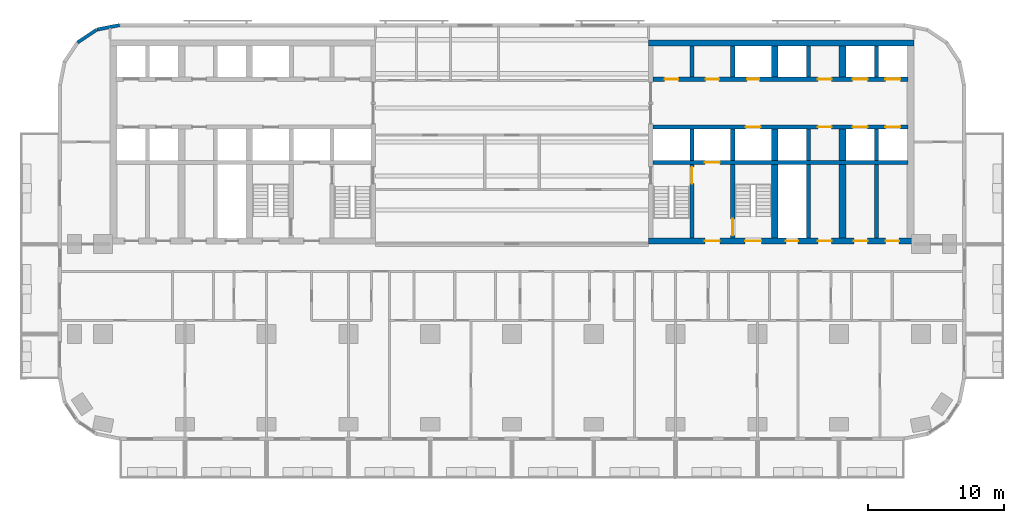
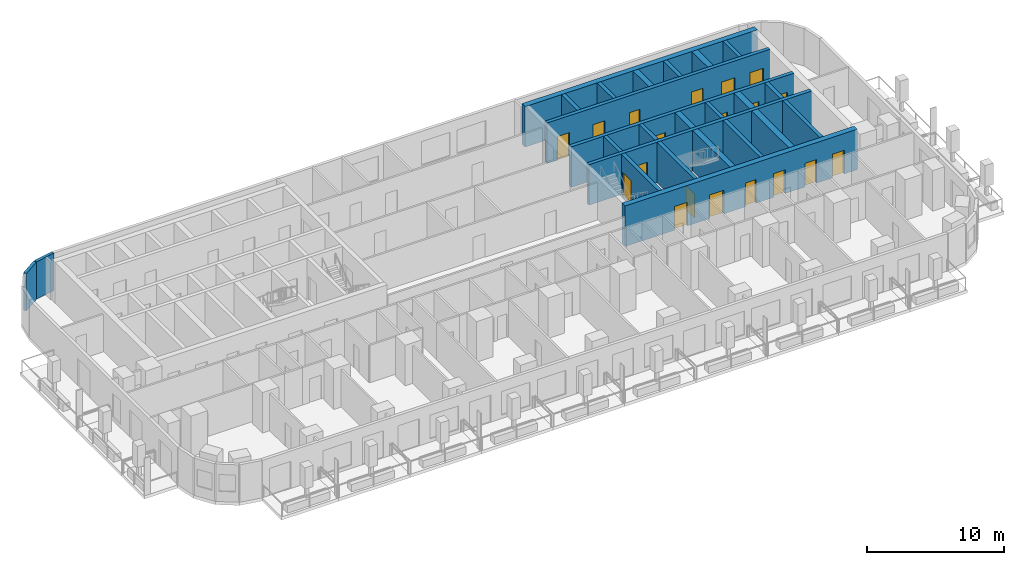
# One storey, part 7 of 14: 25 walls, 19 doors, 19 openings.
"""IFC4 building model written with IfcOpenShell, lengths in metres."""

from ifc_helpers import new_model, si_unit, direction, frame, frame_2d, origin, place, context, subcontext, project, spatial, rectangle, extrude, material, layer, layer_set, type_object, element, fill, save


model = new_model("IFC4")

# Units and contexts
model_context = context("Model", 3, precision=1e-05, world=origin(), true_north=direction((0.0, 1.0)))
body_context = subcontext(model_context, "Body", "Model", "MODEL_VIEW")
ifc_project = project(units=[si_unit("LENGTHUNIT", "METRE"), si_unit("AREAUNIT", "SQUARE_METRE"), si_unit("VOLUMEUNIT", "CUBIC_METRE"), si_unit("PLANEANGLEUNIT", "RADIAN"), si_unit("MASSUNIT", "GRAM", prefix="KILO")], contexts=[model_context])

# Site, building, storey
site_placement = place(None, origin())
site = spatial("IfcSite", under=ifc_project, at=site_placement, CompositionType="ELEMENT")
building_placement = place(site_placement, origin())
building = spatial("IfcBuilding", under=site, at=building_placement, Name="Torana Hotel and Residences", CompositionType="ELEMENT")
storey_placement = place(building_placement, frame((0.0, 0.0, 96.0)))
storey = spatial("IfcBuildingStorey", under=building, at=storey_placement, Name="L24", CompositionType="ELEMENT", Elevation=96.0)

# Wall, openings, doors
ifc_material_1 = material(Name="Concrete C80/95", Category="concrete")
ifc_layer_1 = layer(ifc_material_1, 0.300048828125)
ifc_layer_set_1 = layer_set([ifc_layer_1], Name="CORE WALL 300 C80/95")
wall_type_1 = type_object("IfcWallType", Name="CORE WALL 300 C80/95", PredefinedType="SHEAR", material=ifc_layer_set_1)
wall_1_placement = place(storey_placement, frame((10.35009765625, -2.89990234375, 0.0), z_axis=(0.0, 0.0, 1.0), x_axis=(1.0, 0.0, 0.0)))
wall_1 = element("IfcWall", 1, at=wall_1_placement, inside=storey, type_object=wall_type_1, Name="Core wall E row-N", PredefinedType="SHEAR", context=body_context, shape_type="SweptSolid", body=[
    extrude(rectangle(XDim=18.699951171875, YDim=0.300048828125, at=frame_2d((9.35009765625, 0.0))), origin(), (0.0, 0.0, 1.0), 3.60009765625),
])
opening_1_placement = place(wall_1_placement, frame((14.64990234375, 0.0, 0.0)))
opening_1 = element("IfcOpeningElement", 2, at=opening_1_placement, cuts=wall_1, Name="Opening LD", PredefinedType="OPENING", context=body_context, shape_type="SweptSolid", body=[
    extrude(rectangle(XDim=1.10009765625, YDim=2.10009765625, at=frame_2d((0.550048828125, 1.050048828125))), frame((0.0, 0.159912109375, 0.0), z_axis=(0.0, -1.0, 0.0), x_axis=(1.0, 0.0, 0.0)), (0.0, 0.0, 1.0), 0.320068359375),
])
opening_2_placement = place(wall_1_placement, frame((17.050048828125, 0.0, 0.0)))
opening_2 = element("IfcOpeningElement", 3, at=opening_2_placement, cuts=wall_1, Name="Opening LD", PredefinedType="OPENING", context=body_context, shape_type="SweptSolid", body=[
    extrude(rectangle(XDim=1.10009765625, YDim=2.10009765625, at=frame_2d((0.550048828125, 1.050048828125))), frame((0.0, 0.159912109375, 0.0), z_axis=(0.0, -1.0, 0.0), x_axis=(1.0, 0.0, 0.0)), (0.0, 0.0, 1.0), 0.320068359375),
])
opening_3_placement = place(wall_1_placement, frame((6.89990234375, 0.0, 0.0)))
opening_3 = element("IfcOpeningElement", 4, at=opening_3_placement, cuts=wall_1, Name="Opening L24-26", PredefinedType="OPENING", context=body_context, shape_type="SweptSolid", body=[
    extrude(rectangle(XDim=0.89990234375, YDim=2.10009765625, at=frame_2d((0.449951171875, 1.050048828125))), frame((0.0, 0.159912109375, 0.0), z_axis=(0.0, -1.0, 0.0), x_axis=(1.0, 0.0, 0.0)), (0.0, 0.0, 1.0), 0.320068359375),
])
opening_4_placement = place(wall_1_placement, frame((0.85009765625, 0.0, 0.0)))
opening_4 = element("IfcOpeningElement", 5, at=opening_4_placement, cuts=wall_1, Name="Opening L24-27", PredefinedType="OPENING", context=body_context, shape_type="SweptSolid", body=[
    extrude(rectangle(XDim=1.0, YDim=2.10009765625, at=frame_2d((0.5, 1.050048828125))), frame((0.0, 0.159912109375, 0.0), z_axis=(0.0, -1.0, 0.0), x_axis=(1.0, 0.0, 0.0)), (0.0, 0.0, 1.0), 0.320068359375),
])
opening_5_placement = place(wall_1_placement, frame((3.85009765625, 0.0, 0.0)))
opening_5 = element("IfcOpeningElement", 6, at=opening_5_placement, cuts=wall_1, Name="Opening L24-28", PredefinedType="OPENING", context=body_context, shape_type="SweptSolid", body=[
    extrude(rectangle(XDim=1.0, YDim=2.10009765625, at=frame_2d((0.5, 1.050048828125))), frame((0.0, 0.159912109375, 0.0), z_axis=(0.0, -1.0, 0.0), x_axis=(1.0, 0.0, 0.0)), (0.0, 0.0, 1.0), 0.320068359375),
])
opening_6_placement = place(wall_1_placement, frame((12.10009765625, 0.0, 0.0)))
opening_6 = element("IfcOpeningElement", 7, at=opening_6_placement, cuts=wall_1, Name="Opening L24-29", PredefinedType="OPENING", context=body_context, shape_type="SweptSolid", body=[
    extrude(rectangle(XDim=1.0, YDim=2.10009765625, at=frame_2d((0.5, 1.050048828125))), frame((0.0, 0.159912109375, 0.0), z_axis=(0.0, -1.0, 0.0), x_axis=(1.0, 0.0, 0.0)), (0.0, 0.0, 1.0), 0.320068359375),
])
ifc_material_2 = material(Name="Steel S235", Category="steel")
door_type_1 = type_object("IfcDoorType", Name="CORE ROOM FIRE DOOR D14 1000x2100", OperationType="SINGLE_SWING_LEFT", PredefinedType="DOOR", material=ifc_material_2)
door_1_placement = place(opening_4_placement, origin())
door_1 = element("IfcDoor", 8, at=door_1_placement, inside=storey, type_object=door_type_1, Name="N0 door L24", OperationType="SINGLE_SWING_RIGHT", OverallHeight=2.10009765625, OverallWidth=1.0, PredefinedType="DOOR", context=body_context, shape_type="SweptSolid", body=[
    extrude(rectangle(XDim=1.0, YDim=2.10009765625, at=frame_2d((0.5, 1.050048828125))), frame((0.0, 0.02490234375, 0.0), z_axis=(0.0, -1.0, 0.0), x_axis=(1.0, 0.0, 0.0)), (0.0, 0.0, 1.0), 0.050048828125),
])
fill(opening_4, door_1)
door_2_placement = place(opening_5_placement, origin())
door_2 = element("IfcDoor", 9, at=door_2_placement, inside=storey, type_object=door_type_1, Name="N1 door L24", OperationType="SINGLE_SWING_RIGHT", OverallHeight=2.10009765625, OverallWidth=1.0, PredefinedType="DOOR", context=body_context, shape_type="SweptSolid", body=[
    extrude(rectangle(XDim=1.0, YDim=2.10009765625, at=frame_2d((0.5, 1.050048828125))), frame((0.0, 0.02490234375, 0.0), z_axis=(0.0, -1.0, 0.0), x_axis=(1.0, 0.0, 0.0)), (0.0, 0.0, 1.0), 0.050048828125),
])
fill(opening_5, door_2)
door_3_placement = place(opening_6_placement, origin())
door_3 = element("IfcDoor", 10, at=door_3_placement, inside=storey, type_object=door_type_1, Name="Free-M3 door L24", OperationType="SINGLE_SWING_RIGHT", OverallHeight=2.10009765625, OverallWidth=1.0, PredefinedType="DOOR", context=body_context, shape_type="SweptSolid", body=[
    extrude(rectangle(XDim=1.0, YDim=2.10009765625, at=frame_2d((0.5, 1.050048828125))), frame((0.0, 0.02490234375, 0.0), z_axis=(0.0, -1.0, 0.0), x_axis=(1.0, 0.0, 0.0)), (0.0, 0.0, 1.0), 0.050048828125),
])
fill(opening_6, door_3)
ifc_material_3 = material(Name="Stainless steel 316", Category="steel")
door_type_2 = type_object("IfcDoorType", Name="LIFT LANDING DOOR LD 1100x2100", OperationType="DOUBLE_DOOR_SLIDING", PredefinedType="USERDEFINED", material=ifc_material_3)
door_4_placement = place(opening_1_placement, origin())
door_4 = element("IfcDoor", 11, at=door_4_placement, inside=storey, type_object=door_type_2, Name="Lift landing door L5 L24", ObjectType="LIFT LANDING DOOR", OperationType="DOUBLE_DOOR_SLIDING", OverallHeight=2.10009765625, OverallWidth=1.10009765625, PredefinedType="USERDEFINED", context=body_context, shape_type="SweptSolid", body=[
    extrude(rectangle(XDim=1.10009765625, YDim=2.10009765625, at=frame_2d((0.550048828125, 1.050048828125))), frame((0.0, 0.02490234375, 0.0), z_axis=(0.0, -1.0, 0.0), x_axis=(1.0, 0.0, 0.0)), (0.0, 0.0, 1.0), 0.050048828125),
])
fill(opening_1, door_4)
door_5_placement = place(opening_2_placement, origin())
door_5 = element("IfcDoor", 12, at=door_5_placement, inside=storey, type_object=door_type_2, Name="Lift landing door L6 L24", ObjectType="LIFT LANDING DOOR", OperationType="DOUBLE_DOOR_SLIDING", OverallHeight=2.10009765625, OverallWidth=1.10009765625, PredefinedType="USERDEFINED", context=body_context, shape_type="SweptSolid", body=[
    extrude(rectangle(XDim=1.10009765625, YDim=2.10009765625, at=frame_2d((0.550048828125, 1.050048828125))), frame((0.0, 0.02490234375, 0.0), z_axis=(0.0, -1.0, 0.0), x_axis=(1.0, 0.0, 0.0)), (0.0, 0.0, 1.0), 0.050048828125),
])
fill(opening_2, door_5)
ifc_material_4 = material(Name="Steel S235", Category="steel")
door_type_3 = type_object("IfcDoorType", Name="RISER ACCESS DOOR D5 900x2100", OperationType="SINGLE_SWING_LEFT", PredefinedType="DOOR", material=ifc_material_4)
door_6_placement = place(opening_3_placement, origin())
door_6 = element("IfcDoor", 13, at=door_6_placement, inside=storey, type_object=door_type_3, Name="N2 door L24", OperationType="SINGLE_SWING_RIGHT", OverallHeight=2.10009765625, OverallWidth=0.89990234375, PredefinedType="DOOR", context=body_context, shape_type="SweptSolid", body=[
    extrude(rectangle(XDim=0.89990234375, YDim=2.10009765625, at=frame_2d((0.449951171875, 1.050048828125))), frame((0.0, 0.02490234375, 0.0), z_axis=(0.0, -1.0, 0.0), x_axis=(1.0, 0.0, 0.0)), (0.0, 0.0, 1.0), 0.050048828125),
])
fill(opening_3, door_6)

wall_2_placement = place(storey_placement, frame((10.35009765625, -6.39990234375, 0.0), z_axis=(0.0, 0.0, 1.0), x_axis=(1.0, 0.0, 0.0)))
wall_2 = element("IfcWall", 14, at=wall_2_placement, inside=storey, type_object=wall_type_1, Name="Core wall E row-S", PredefinedType="SHEAR", context=body_context, shape_type="SweptSolid", body=[
    extrude(rectangle(XDim=18.699951171875, YDim=0.300048828125, at=frame_2d((9.35009765625, 0.0))), origin(), (0.0, 0.0, 1.0), 3.60009765625),
])
opening_7_placement = place(wall_2_placement, frame((14.64990234375, 0.0, 0.0)))
opening_7 = element("IfcOpeningElement", 15, at=opening_7_placement, cuts=wall_2, Name="Opening LD", PredefinedType="OPENING", context=body_context, shape_type="SweptSolid", body=[
    extrude(rectangle(XDim=1.10009765625, YDim=2.10009765625, at=frame_2d((0.550048828125, 1.050048828125))), frame((0.0, 0.159912109375, 0.0), z_axis=(0.0, -1.0, 0.0), x_axis=(1.0, 0.0, 0.0)), (0.0, 0.0, 1.0), 0.320068359375),
])
opening_8_placement = place(wall_2_placement, frame((17.050048828125, 0.0, 0.0)))
opening_8 = element("IfcOpeningElement", 16, at=opening_8_placement, cuts=wall_2, Name="Opening LD", PredefinedType="OPENING", context=body_context, shape_type="SweptSolid", body=[
    extrude(rectangle(XDim=1.10009765625, YDim=2.10009765625, at=frame_2d((0.550048828125, 1.050048828125))), frame((0.0, 0.159912109375, 0.0), z_axis=(0.0, -1.0, 0.0), x_axis=(1.0, 0.0, 0.0)), (0.0, 0.0, 1.0), 0.320068359375),
])
opening_9_placement = place(wall_2_placement, frame((6.800048828125, 0.0, 0.0)))
opening_9 = element("IfcOpeningElement", 17, at=opening_9_placement, cuts=wall_2, Name="Opening LD", PredefinedType="OPENING", context=body_context, shape_type="SweptSolid", body=[
    extrude(rectangle(XDim=1.10009765625, YDim=2.10009765625, at=frame_2d((0.550048828125, 1.050048828125))), frame((0.0, 0.159912109375, 0.0), z_axis=(0.0, -1.0, 0.0), x_axis=(1.0, 0.0, 0.0)), (0.0, 0.0, 1.0), 0.320068359375),
])
opening_10_placement = place(wall_2_placement, frame((12.10009765625, 0.0, 0.0)))
opening_10 = element("IfcOpeningElement", 18, at=opening_10_placement, cuts=wall_2, Name="Opening L24-30", PredefinedType="OPENING", context=body_context, shape_type="SweptSolid", body=[
    extrude(rectangle(XDim=1.0, YDim=2.10009765625, at=frame_2d((0.5, 1.050048828125))), frame((0.0, 0.159912109375, 0.0), z_axis=(0.0, -1.0, 0.0), x_axis=(1.0, 0.0, 0.0)), (0.0, 0.0, 1.0), 0.320068359375),
])
door_7_placement = place(opening_10_placement, frame((0.5, 0.0, 0.0), z_axis=(0.0, 0.0, 1.0), x_axis=(-1.0, 0.0, 0.0)))
door_7 = element("IfcDoor", 19, at=door_7_placement, inside=storey, type_object=door_type_1, Name="Free-M4 door L24", OperationType="SINGLE_SWING_LEFT", OverallHeight=2.10009765625, OverallWidth=1.0, PredefinedType="DOOR", context=body_context, shape_type="SweptSolid", body=[
    extrude(rectangle(XDim=1.0, YDim=2.10009765625, at=frame_2d((0.0, 1.050048828125))), frame((0.0, -0.02490234375, 0.0), z_axis=(0.0, 1.0, 0.0), x_axis=(-1.0, 0.0, 0.0)), (0.0, 0.0, 1.0), 0.050048828125),
])
fill(opening_10, door_7)
door_8_placement = place(opening_7_placement, origin())
door_8 = element("IfcDoor", 20, at=door_8_placement, inside=storey, type_object=door_type_2, Name="Lift landing door L7 L24", ObjectType="LIFT LANDING DOOR", OperationType="DOUBLE_DOOR_SLIDING", OverallHeight=2.10009765625, OverallWidth=1.10009765625, PredefinedType="USERDEFINED", context=body_context, shape_type="SweptSolid", body=[
    extrude(rectangle(XDim=1.10009765625, YDim=2.10009765625, at=frame_2d((0.550048828125, 1.050048828125))), frame((0.0, 0.02490234375, 0.0), z_axis=(0.0, -1.0, 0.0), x_axis=(1.0, 0.0, 0.0)), (0.0, 0.0, 1.0), 0.050048828125),
])
fill(opening_7, door_8)
door_9_placement = place(opening_8_placement, origin())
door_9 = element("IfcDoor", 21, at=door_9_placement, inside=storey, type_object=door_type_2, Name="Lift landing door L8 L24", ObjectType="LIFT LANDING DOOR", OperationType="DOUBLE_DOOR_SLIDING", OverallHeight=2.10009765625, OverallWidth=1.10009765625, PredefinedType="USERDEFINED", context=body_context, shape_type="SweptSolid", body=[
    extrude(rectangle(XDim=1.10009765625, YDim=2.10009765625, at=frame_2d((0.550048828125, 1.050048828125))), frame((0.0, 0.02490234375, 0.0), z_axis=(0.0, -1.0, 0.0), x_axis=(1.0, 0.0, 0.0)), (0.0, 0.0, 1.0), 0.050048828125),
])
fill(opening_8, door_9)
door_10_placement = place(opening_9_placement, origin())
door_10 = element("IfcDoor", 22, at=door_10_placement, inside=storey, type_object=door_type_2, Name="Lift landing door SV2 L24", ObjectType="LIFT LANDING DOOR", OperationType="DOUBLE_DOOR_SLIDING", OverallHeight=2.10009765625, OverallWidth=1.10009765625, PredefinedType="USERDEFINED", context=body_context, shape_type="SweptSolid", body=[
    extrude(rectangle(XDim=1.10009765625, YDim=2.10009765625, at=frame_2d((0.550048828125, 1.050048828125))), frame((0.0, 0.02490234375, 0.0), z_axis=(0.0, -1.0, 0.0), x_axis=(1.0, 0.0, 0.0)), (0.0, 0.0, 1.0), 0.050048828125),
])
fill(opening_9, door_10)

# Wall, opening, door
wall_3_placement = place(storey_placement, frame((10.35009765625, -9.0, 0.0), z_axis=(0.0, 0.0, 1.0), x_axis=(1.0, 0.0, 0.0)))
wall_3 = element("IfcWall", 23, at=wall_3_placement, inside=storey, type_object=wall_type_1, Name="Core wall E band", PredefinedType="SHEAR", context=body_context, shape_type="SweptSolid", body=[
    extrude(rectangle(XDim=18.699951171875, YDim=0.300048828125, at=frame_2d((9.35009765625, 0.0))), origin(), (0.0, 0.0, 1.0), 3.60009765625),
])
opening_11_placement = place(wall_3_placement, frame((3.800048828125, 0.0, 0.0)))
opening_11 = element("IfcOpeningElement", 24, at=opening_11_placement, cuts=wall_3, Name="Opening LD", PredefinedType="OPENING", context=body_context, shape_type="SweptSolid", body=[
    extrude(rectangle(XDim=1.10009765625, YDim=2.10009765625, at=frame_2d((0.550048828125, 1.050048828125))), frame((0.0, 0.159912109375, 0.0), z_axis=(0.0, -1.0, 0.0), x_axis=(1.0, 0.0, 0.0)), (0.0, 0.0, 1.0), 0.320068359375),
])
door_11_placement = place(opening_11_placement, origin())
door_11 = element("IfcDoor", 25, at=door_11_placement, inside=storey, type_object=door_type_2, Name="Lift landing door FF2 L24", ObjectType="LIFT LANDING DOOR", OperationType="DOUBLE_DOOR_SLIDING", OverallHeight=2.10009765625, OverallWidth=1.10009765625, PredefinedType="USERDEFINED", context=body_context, shape_type="SweptSolid", body=[
    extrude(rectangle(XDim=1.10009765625, YDim=2.10009765625, at=frame_2d((0.550048828125, 1.050048828125))), frame((0.0, 0.02490234375, 0.0), z_axis=(0.0, -1.0, 0.0), x_axis=(1.0, 0.0, 0.0)), (0.0, 0.0, 1.0), 0.050048828125),
])
fill(opening_11, door_11)

# Walls
for number, where, z_axis, x_axis, name in (
    (26, (13.199951171875, -2.75, 0.0), (0.0, 0.0, 1.0), (0.0, 1.0, 0.0), "Core wall E x3.05-N"),
    (27, (13.199951171875, -8.85009765625, 0.0), (0.0, 0.0, 1.0), (0.0, 1.0, 0.0), "Core wall E x3.05-S"),
):
    element("IfcWall", number, at=place(storey_placement, frame(where, z_axis=z_axis, x_axis=x_axis)), inside=storey, type_object=wall_type_1, Name=name, PredefinedType="SHEAR", context=body_context, shape_type="SweptSolid", body=[
        extrude(rectangle(XDim=2.300048828125, YDim=0.300048828125, at=frame_2d((1.14990234375, 0.0))), origin(), (0.0, 0.0, 1.0), 3.60009765625),
    ])

# Wall, opening, door
wall_4_placement = place(storey_placement, frame((13.199951171875, -14.550048828125, 0.0), z_axis=(0.0, 0.0, 1.0), x_axis=(0.0, 1.0, 0.0)))
wall_4 = element("IfcWall", 28, at=wall_4_placement, inside=storey, type_object=wall_type_1, Name="Core wall E x3.05-band", PredefinedType="SHEAR", context=body_context, shape_type="SweptSolid", body=[
    extrude(rectangle(XDim=5.400146484375, YDim=0.300048828125, at=frame_2d((2.7001953125, 0.0))), origin(), (0.0, 0.0, 1.0), 3.60009765625),
])
opening_12_placement = place(wall_4_placement, frame((4.0, 0.0, 0.0)))
opening_12 = element("IfcOpeningElement", 29, at=opening_12_placement, cuts=wall_4, Name="Opening L24-31", PredefinedType="OPENING", context=body_context, shape_type="SweptSolid", body=[
    extrude(rectangle(XDim=1.199951171875, YDim=2.10009765625, at=frame_2d((0.60009765625, 1.050048828125))), frame((0.0, 0.159912109375, 0.0), z_axis=(0.0, -1.0, 0.0), x_axis=(1.0, 0.0, 0.0)), (0.0, 0.0, 1.0), 0.320068359375),
])
ifc_material_5 = material(Name="Steel S235", Category="steel")
door_type_4 = type_object("IfcDoorType", Name="STAIR FIRE DOOR D3 1200x2100", OperationType="SINGLE_SWING_LEFT", PredefinedType="DOOR", material=ifc_material_5)
door_12_placement = place(opening_12_placement, origin())
door_12 = element("IfcDoor", 30, at=door_12_placement, inside=storey, type_object=door_type_4, Name="Stair-A-lobby door L24", OperationType="SINGLE_SWING_LEFT", OverallHeight=2.10009765625, OverallWidth=1.199951171875, PredefinedType="DOOR", context=body_context, shape_type="SweptSolid", body=[
    extrude(rectangle(XDim=1.199951171875, YDim=2.10009765625, at=frame_2d((0.60009765625, 1.050048828125))), frame((0.0, 0.02490234375, 0.0), z_axis=(0.0, -1.0, 0.0), x_axis=(1.0, 0.0, 0.0)), (0.0, 0.0, 1.0), 0.050048828125),
])
fill(opening_12, door_12)

# Walls
for number, where, z_axis, x_axis, name in (
    (31, (16.199951171875, -2.75, 0.0), (0.0, 0.0, 1.0), (0.0, 1.0, 0.0), "Core wall E x6.05-N"),
    (32, (16.199951171875, -8.85009765625, 0.0), (0.0, 0.0, 1.0), (0.0, 1.0, 0.0), "Core wall E x6.05-S"),
):
    element("IfcWall", number, at=place(storey_placement, frame(where, z_axis=z_axis, x_axis=x_axis)), inside=storey, type_object=wall_type_1, Name=name, PredefinedType="SHEAR", context=body_context, shape_type="SweptSolid", body=[
        extrude(rectangle(XDim=2.300048828125, YDim=0.300048828125, at=frame_2d((1.14990234375, 0.0))), origin(), (0.0, 0.0, 1.0), 3.60009765625),
    ])

# Wall, opening, door
wall_5_placement = place(storey_placement, frame((16.199951171875, -14.550048828125, 0.0), z_axis=(0.0, 0.0, 1.0), x_axis=(0.0, 1.0, 0.0)))
wall_5 = element("IfcWall", 33, at=wall_5_placement, inside=storey, type_object=wall_type_1, Name="Core wall E x6.05-band", PredefinedType="SHEAR", context=body_context, shape_type="SweptSolid", body=[
    extrude(rectangle(XDim=5.400146484375, YDim=0.300048828125, at=frame_2d((2.7001953125, 0.0))), origin(), (0.0, 0.0, 1.0), 3.60009765625),
])
opening_13_placement = place(wall_5_placement, frame((0.199951171875, 0.0, 0.0)))
opening_13 = element("IfcOpeningElement", 34, at=opening_13_placement, cuts=wall_5, Name="Opening L24-32", PredefinedType="OPENING", context=body_context, shape_type="SweptSolid", body=[
    extrude(rectangle(XDim=1.199951171875, YDim=2.10009765625, at=frame_2d((0.60009765625, 1.050048828125))), frame((0.0, 0.159912109375, 0.0), z_axis=(0.0, -1.0, 0.0), x_axis=(1.0, 0.0, 0.0)), (0.0, 0.0, 1.0), 0.320068359375),
])
door_13_placement = place(opening_13_placement, frame((0.60009765625, 0.0, 0.0), z_axis=(0.0, 0.0, 1.0), x_axis=(-1.0, 0.0, 0.0)))
door_13 = element("IfcDoor", 35, at=door_13_placement, inside=storey, type_object=door_type_4, Name="Stair-B-lobby door L24", OperationType="SINGLE_SWING_LEFT", OverallHeight=2.10009765625, OverallWidth=1.199951171875, PredefinedType="DOOR", context=body_context, shape_type="SweptSolid", body=[
    extrude(rectangle(XDim=1.199951171875, YDim=2.10009765625, at=frame_2d((0.0, 1.050048828125))), frame((0.0, -0.02490234375, 0.0), z_axis=(0.0, 1.0, 0.0), x_axis=(-1.0, 0.0, 0.0)), (0.0, 0.0, 1.0), 0.050048828125),
])
fill(opening_13, door_13)

# Walls
for number, where, z_axis, x_axis, name in (
    (36, (21.75, -2.75, 0.0), (0.0, 0.0, 1.0), (0.0, 1.0, 0.0), "Core wall E mm-N"),
    (37, (21.75, -8.85009765625, 0.0), (0.0, 0.0, 1.0), (0.0, 1.0, 0.0), "Core wall E mm-S"),
):
    element("IfcWall", number, at=place(storey_placement, frame(where, z_axis=z_axis, x_axis=x_axis)), inside=storey, type_object=wall_type_1, Name=name, PredefinedType="SHEAR", context=body_context, shape_type="SweptSolid", body=[
        extrude(rectangle(XDim=2.300048828125, YDim=0.300048828125, at=frame_2d((1.14990234375, 0.0))), origin(), (0.0, 0.0, 1.0), 3.60009765625),
    ])
wall_6_placement = place(storey_placement, frame((21.75, -14.550048828125, 0.0), z_axis=(0.0, 0.0, 1.0), x_axis=(0.0, 1.0, 0.0)))
element("IfcWall", 38, at=wall_6_placement, inside=storey, type_object=wall_type_1, Name="Core wall E mm-band", PredefinedType="SHEAR", context=body_context, shape_type="SweptSolid", body=[
    extrude(rectangle(XDim=5.400146484375, YDim=0.300048828125, at=frame_2d((2.7001953125, 0.0))), origin(), (0.0, 0.0, 1.0), 3.60009765625),
])
for number, where, z_axis, x_axis, name in (
    (39, (26.75, -2.75, 0.0), (0.0, 0.0, 1.0), (0.0, 1.0, 0.0), "Core wall E ll-N"),
    (40, (26.75, -8.85009765625, 0.0), (0.0, 0.0, 1.0), (0.0, 1.0, 0.0), "Core wall E ll-S"),
):
    element("IfcWall", number, at=place(storey_placement, frame(where, z_axis=z_axis, x_axis=x_axis)), inside=storey, type_object=wall_type_1, Name=name, PredefinedType="SHEAR", context=body_context, shape_type="SweptSolid", body=[
        extrude(rectangle(XDim=2.300048828125, YDim=0.300048828125, at=frame_2d((1.14990234375, 0.0))), origin(), (0.0, 0.0, 1.0), 3.60009765625),
    ])
wall_7_placement = place(storey_placement, frame((26.75, -14.550048828125, 0.0), z_axis=(0.0, 0.0, 1.0), x_axis=(0.0, 1.0, 0.0)))
element("IfcWall", 41, at=wall_7_placement, inside=storey, type_object=wall_type_1, Name="Core wall E ll-band", PredefinedType="SHEAR", context=body_context, shape_type="SweptSolid", body=[
    extrude(rectangle(XDim=5.400146484375, YDim=0.300048828125, at=frame_2d((2.7001953125, 0.0))), origin(), (0.0, 0.0, 1.0), 3.60009765625),
])
ifc_material_6 = material(Name="Concrete C80/95", Category="concrete")
ifc_layer_2 = layer(ifc_material_6, 0.449951171875)
ifc_layer_set_2 = layer_set([ifc_layer_2], Name="CORE WALL 450 C80/95")
wall_type_2 = type_object("IfcWallType", Name="CORE WALL 450 C80/95", PredefinedType="SHEAR", material=ifc_layer_set_2)
wall_8_placement = place(storey_placement, frame((10.0, -0.22509765625, 0.0), z_axis=(0.0, 0.0, 1.0), x_axis=(1.0, 0.0, 0.0)))
element("IfcWall", 42, at=wall_8_placement, inside=storey, type_object=wall_type_2, Name="Core wall E rear", PredefinedType="SHEAR", context=body_context, shape_type="SweptSolid", body=[
    extrude(rectangle(XDim=19.5, YDim=0.449951171875, at=frame_2d((9.75, 0.0))), origin(), (0.0, 0.0, 1.0), 3.60009765625),
])

# Wall, openings, doors
wall_9_placement = place(storey_placement, frame((10.0, -14.77490234375, 0.0), z_axis=(0.0, 0.0, 1.0), x_axis=(1.0, 0.0, 0.0)))
wall_9 = element("IfcWall", 43, at=wall_9_placement, inside=storey, type_object=wall_type_2, Name="Core wall E front", PredefinedType="SHEAR", context=body_context, shape_type="SweptSolid", body=[
    extrude(rectangle(XDim=19.5, YDim=0.449951171875, at=frame_2d((9.75, 0.0))), origin(), (0.0, 0.0, 1.0), 3.60009765625),
])
opening_14_placement = place(wall_9_placement, frame((7.10009765625, 0.0, 0.0)))
opening_14 = element("IfcOpeningElement", 44, at=opening_14_placement, cuts=wall_9, Name="Opening L24-20", PredefinedType="OPENING", context=body_context, shape_type="SweptSolid", body=[
    extrude(rectangle(XDim=1.199951171875, YDim=2.10009765625, at=frame_2d((0.60009765625, 1.050048828125))), frame((0.0, 0.23486328125, 0.0), z_axis=(0.0, -1.0, 0.0), x_axis=(1.0, 0.0, 0.0)), (0.0, 0.0, 1.0), 0.469970703125),
])
opening_15_placement = place(wall_9_placement, frame((4.14990234375, 0.0, 0.0)))
opening_15 = element("IfcOpeningElement", 45, at=opening_15_placement, cuts=wall_9, Name="Opening L24-21", PredefinedType="OPENING", context=body_context, shape_type="SweptSolid", body=[
    extrude(rectangle(XDim=1.10009765625, YDim=2.10009765625, at=frame_2d((0.550048828125, 1.050048828125))), frame((0.0, 0.23486328125, 0.0), z_axis=(0.0, -1.0, 0.0), x_axis=(1.0, 0.0, 0.0)), (0.0, 0.0, 1.0), 0.469970703125),
])
opening_16_placement = place(wall_9_placement, frame((10.10009765625, 0.0, 0.0)))
opening_16 = element("IfcOpeningElement", 46, at=opening_16_placement, cuts=wall_9, Name="Opening L24-22", PredefinedType="OPENING", context=body_context, shape_type="SweptSolid", body=[
    extrude(rectangle(XDim=0.89990234375, YDim=2.10009765625, at=frame_2d((0.449951171875, 1.050048828125))), frame((0.0, 0.23486328125, 0.0), z_axis=(0.0, -1.0, 0.0), x_axis=(1.0, 0.0, 0.0)), (0.0, 0.0, 1.0), 0.469970703125),
])
opening_17_placement = place(wall_9_placement, frame((12.449951171875, 0.0, 0.0)))
opening_17 = element("IfcOpeningElement", 47, at=opening_17_placement, cuts=wall_9, Name="Opening L24-23", PredefinedType="OPENING", context=body_context, shape_type="SweptSolid", body=[
    extrude(rectangle(XDim=1.0, YDim=2.10009765625, at=frame_2d((0.5, 1.050048828125))), frame((0.0, 0.23486328125, 0.0), z_axis=(0.0, -1.0, 0.0), x_axis=(1.0, 0.0, 0.0)), (0.0, 0.0, 1.0), 0.469970703125),
])
opening_18_placement = place(wall_9_placement, frame((15.08740234375, 0.0, 0.0)))
opening_18 = element("IfcOpeningElement", 48, at=opening_18_placement, cuts=wall_9, Name="Opening L24-24", PredefinedType="OPENING", context=body_context, shape_type="SweptSolid", body=[
    extrude(rectangle(XDim=1.0, YDim=2.10009765625, at=frame_2d((0.5, 1.050048828125))), frame((0.0, 0.23486328125, 0.0), z_axis=(0.0, -1.0, 0.0), x_axis=(1.0, 0.0, 0.0)), (0.0, 0.0, 1.0), 0.469970703125),
])
opening_19_placement = place(wall_9_placement, frame((17.41259765625, 0.0, 0.0)))
opening_19 = element("IfcOpeningElement", 49, at=opening_19_placement, cuts=wall_9, Name="Opening L24-25", PredefinedType="OPENING", context=body_context, shape_type="SweptSolid", body=[
    extrude(rectangle(XDim=1.0, YDim=2.10009765625, at=frame_2d((0.5, 1.050048828125))), frame((0.0, 0.23486328125, 0.0), z_axis=(0.0, -1.0, 0.0), x_axis=(1.0, 0.0, 0.0)), (0.0, 0.0, 1.0), 0.469970703125),
])
door_14_placement = place(opening_17_placement, origin())
door_14 = element("IfcDoor", 50, at=door_14_placement, inside=storey, type_object=door_type_1, Name="M-Room door L24", OperationType="SINGLE_SWING_RIGHT", OverallHeight=2.10009765625, OverallWidth=1.0, PredefinedType="DOOR", context=body_context, shape_type="SweptSolid", body=[
    extrude(rectangle(XDim=1.0, YDim=2.10009765625, at=frame_2d((0.5, 1.050048828125))), frame((0.0, 0.02490234375, 0.0), z_axis=(0.0, -1.0, 0.0), x_axis=(1.0, 0.0, 0.0)), (0.0, 0.0, 1.0), 0.050048828125),
])
fill(opening_17, door_14)
door_15_placement = place(opening_18_placement, origin())
door_15 = element("IfcDoor", 51, at=door_15_placement, inside=storey, type_object=door_type_1, Name="L-A door L24", OperationType="SINGLE_SWING_RIGHT", OverallHeight=2.10009765625, OverallWidth=1.0, PredefinedType="DOOR", context=body_context, shape_type="SweptSolid", body=[
    extrude(rectangle(XDim=1.0, YDim=2.10009765625, at=frame_2d((0.5, 1.050048828125))), frame((0.0, 0.02490234375, 0.0), z_axis=(0.0, -1.0, 0.0), x_axis=(1.0, 0.0, 0.0)), (0.0, 0.0, 1.0), 0.050048828125),
])
fill(opening_18, door_15)
door_16_placement = place(opening_19_placement, origin())
door_16 = element("IfcDoor", 52, at=door_16_placement, inside=storey, type_object=door_type_1, Name="L-B door L24", OperationType="SINGLE_SWING_RIGHT", OverallHeight=2.10009765625, OverallWidth=1.0, PredefinedType="DOOR", context=body_context, shape_type="SweptSolid", body=[
    extrude(rectangle(XDim=1.0, YDim=2.10009765625, at=frame_2d((0.5, 1.050048828125))), frame((0.0, 0.02490234375, 0.0), z_axis=(0.0, -1.0, 0.0), x_axis=(1.0, 0.0, 0.0)), (0.0, 0.0, 1.0), 0.050048828125),
])
fill(opening_19, door_16)
ifc_material_7 = material(Name="Steel S235", Category="steel")
door_type_5 = type_object("IfcDoorType", Name="FIRE-FIGHTING LOBBY DOOR D8 1100x2100", OperationType="SINGLE_SWING_LEFT", PredefinedType="DOOR", material=ifc_material_7)
door_17_placement = place(opening_15_placement, origin())
door_17 = element("IfcDoor", 53, at=door_17_placement, inside=storey, type_object=door_type_5, Name="FF-lobby door L24", OperationType="SINGLE_SWING_RIGHT", OverallHeight=2.10009765625, OverallWidth=1.10009765625, PredefinedType="DOOR", context=body_context, shape_type="SweptSolid", body=[
    extrude(rectangle(XDim=1.10009765625, YDim=2.10009765625, at=frame_2d((0.550048828125, 1.050048828125))), frame((0.0, 0.02490234375, 0.0), z_axis=(0.0, -1.0, 0.0), x_axis=(1.0, 0.0, 0.0)), (0.0, 0.0, 1.0), 0.050048828125),
])
fill(opening_15, door_17)
door_18_placement = place(opening_16_placement, origin())
door_18 = element("IfcDoor", 54, at=door_18_placement, inside=storey, type_object=door_type_3, Name="M-Riser door L24", OperationType="SINGLE_SWING_RIGHT", OverallHeight=2.10009765625, OverallWidth=0.89990234375, PredefinedType="DOOR", context=body_context, shape_type="SweptSolid", body=[
    extrude(rectangle(XDim=0.89990234375, YDim=2.10009765625, at=frame_2d((0.449951171875, 1.050048828125))), frame((0.0, 0.02490234375, 0.0), z_axis=(0.0, -1.0, 0.0), x_axis=(1.0, 0.0, 0.0)), (0.0, 0.0, 1.0), 0.050048828125),
])
fill(opening_16, door_18)
door_19_placement = place(opening_14_placement, origin())
door_19 = element("IfcDoor", 55, at=door_19_placement, inside=storey, type_object=door_type_4, Name="Stair-B door L24", OperationType="SINGLE_SWING_RIGHT", OverallHeight=2.10009765625, OverallWidth=1.199951171875, PredefinedType="DOOR", context=body_context, shape_type="SweptSolid", body=[
    extrude(rectangle(XDim=1.199951171875, YDim=2.10009765625, at=frame_2d((0.60009765625, 1.050048828125))), frame((0.0, 0.02490234375, 0.0), z_axis=(0.0, -1.0, 0.0), x_axis=(1.0, 0.0, 0.0)), (0.0, 0.0, 1.0), 0.050048828125),
])
fill(opening_14, door_19)

# Walls
for number, where, z_axis, x_axis, name in (
    (56, (19.27490234375, -2.75, 0.0), (0.0, 0.0, 1.0), (0.0, 1.0, 0.0), "Core wall E hm-N"),
    (57, (19.27490234375, -8.85009765625, 0.0), (0.0, 0.0, 1.0), (0.0, 1.0, 0.0), "Core wall E hm-S"),
):
    element("IfcWall", number, at=place(storey_placement, frame(where, z_axis=z_axis, x_axis=x_axis)), inside=storey, type_object=wall_type_2, Name=name, PredefinedType="SHEAR", context=body_context, shape_type="SweptSolid", body=[
        extrude(rectangle(XDim=2.300048828125, YDim=0.449951171875, at=frame_2d((1.14990234375, 0.0))), origin(), (0.0, 0.0, 1.0), 3.60009765625),
    ])
wall_10_placement = place(storey_placement, frame((19.27490234375, -14.550048828125, 0.0), z_axis=(0.0, 0.0, 1.0), x_axis=(0.0, 1.0, 0.0)))
element("IfcWall", 58, at=wall_10_placement, inside=storey, type_object=wall_type_2, Name="Core wall E hm-band", PredefinedType="SHEAR", context=body_context, shape_type="SweptSolid", body=[
    extrude(rectangle(XDim=5.400146484375, YDim=0.449951171875, at=frame_2d((2.7001953125, 0.0))), origin(), (0.0, 0.0, 1.0), 3.60009765625),
])
ifc_material_8 = material(Name="Concrete C80/95", Category="concrete")
ifc_layer_3 = layer(ifc_material_8, 0.5)
ifc_layer_set_3 = layer_set([ifc_layer_3], Name="CORE WALL 500 C80/95")
wall_type_3 = type_object("IfcWallType", Name="CORE WALL 500 C80/95", PredefinedType="SHEAR", material=ifc_layer_set_3)
for number, where, z_axis, x_axis, name in (
    (59, (24.25, -2.75, 0.0), (0.0, 0.0, 1.0), (0.0, 1.0, 0.0), "Core wall E ml-N"),
    (60, (24.25, -8.85009765625, 0.0), (0.0, 0.0, 1.0), (0.0, 1.0, 0.0), "Core wall E ml-S"),
):
    element("IfcWall", number, at=place(storey_placement, frame(where, z_axis=z_axis, x_axis=x_axis)), inside=storey, type_object=wall_type_3, Name=name, PredefinedType="SHEAR", context=body_context, shape_type="SweptSolid", body=[
        extrude(rectangle(XDim=2.300048828125, YDim=0.5, at=frame_2d((1.14990234375, 0.0))), origin(), (0.0, 0.0, 1.0), 3.60009765625),
    ])
wall_11_placement = place(storey_placement, frame((24.25, -14.550048828125, 0.0), z_axis=(0.0, 0.0, 1.0), x_axis=(0.0, 1.0, 0.0)))
element("IfcWall", 61, at=wall_11_placement, inside=storey, type_object=wall_type_3, Name="Core wall E ml-band", PredefinedType="SHEAR", context=body_context, shape_type="SweptSolid", body=[
    extrude(rectangle(XDim=5.400146484375, YDim=0.5, at=frame_2d((2.7001953125, 0.0))), origin(), (0.0, 0.0, 1.0), 3.60009765625),
])
ifc_material_9 = material(Name="Black aluminium composite panel", Category="aluminium")
ifc_layer_4 = layer(ifc_material_9, 0.00390625, Name="Cladding", Category="cladding")
ifc_material_10 = material(Name="Ventilated air cavity")
ifc_layer_5 = layer(ifc_material_10, 0.0400390625, Name="Ventilated cavity", Category="cavity")
ifc_material_11 = material(Name="Mineral wool insulation")
ifc_layer_6 = layer(ifc_material_11, 0.090087890625, Name="Insulation", Category="insulation")
ifc_material_12 = material(Name="Steel S280GD", Category="steel")
ifc_layer_7 = layer(ifc_material_12, 0.092041015625, Name="Steel stud frame", Category="structure")
ifc_material_13 = material(Name="Fire rated plasterboard")
ifc_layer_8 = layer(ifc_material_13, 0.011962890625, Name="Inner board", Category="finish")
ifc_layer_9 = layer(ifc_material_13, 0.011962890625, Name="Second board", Category="finish")
ifc_layer_set_4 = layer_set([ifc_layer_4, ifc_layer_5, ifc_layer_6, ifc_layer_7, ifc_layer_8, ifc_layer_9], Name="EW1 EXTERNAL WALL BLACK METAL CLAD 250")
wall_type_4 = type_object("IfcWallType", Name="EW1 EXTERNAL WALL BLACK METAL CLAD 250", PredefinedType="SOLIDWALL", material=ifc_layer_set_4)
wall_12_placement = place(storey_placement, frame((-28.7998046875, 1.072509765625, 0.0), z_axis=(0.0, 0.0, 1.0), x_axis=(-0.980803419081, -0.194999110559, 0.0)))
element("IfcWall", 62, at=wall_12_placement, inside=storey, type_object=wall_type_4, Name="External wall L24 e0.5", PredefinedType="SOLIDWALL", context=body_context, shape_type="SweptSolid", body=[
    extrude(rectangle(XDim=1.681396484375, YDim=0.25, at=frame_2d((0.8408203125, 0.0))), origin(), (0.0, 0.0, 1.0), 3.320068359375),
])
wall_13_placement = place(storey_placement, frame((-30.493896484375, 0.725830078125, 0.0), z_axis=(0.0, 0.0, 1.0), x_axis=(-0.831482937015, -0.55555029066, 0.0)))
element("IfcWall", 63, at=wall_13_placement, inside=storey, type_object=wall_type_4, Name="External wall L24 e0.6", PredefinedType="SOLIDWALL", context=body_context, shape_type="SweptSolid", body=[
    extrude(rectangle(XDim=1.65625, YDim=0.25, at=frame_2d((0.828125, 0.0))), origin(), (0.0, 0.0, 1.0), 3.320068359375),
])

save(model, "model.ifc")
